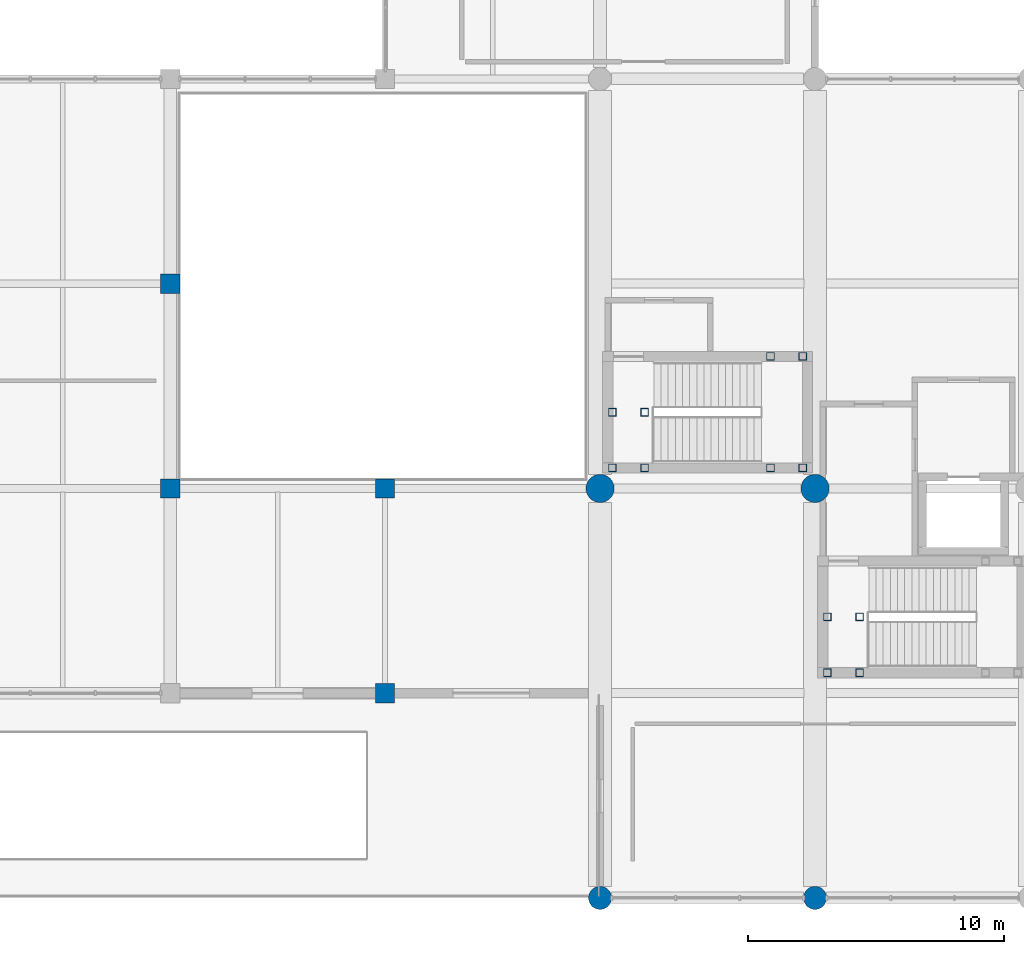
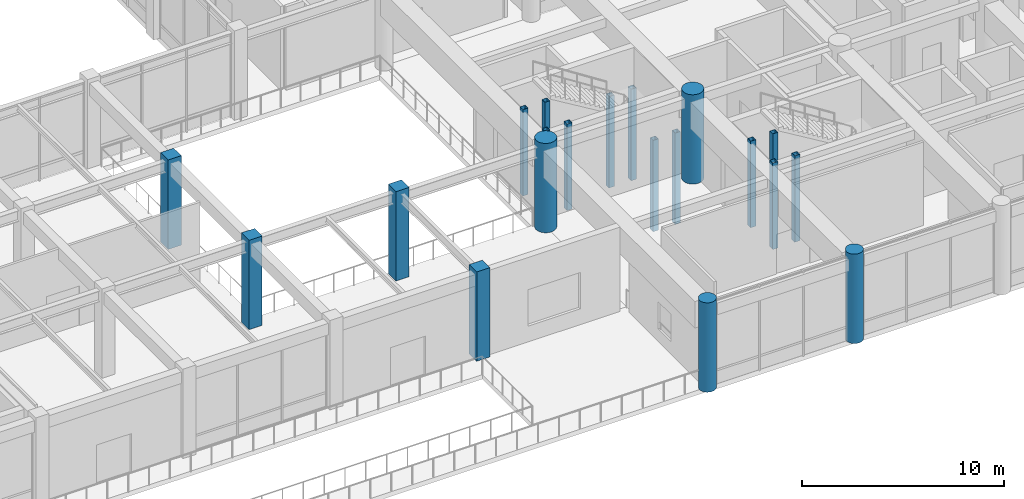
# One storey, part 6 of 79: 20 columns.
"""IFC4 building model written with IfcOpenShell, lengths in metres."""

import ifcopenshell
import ifcopenshell.guid

model = None  # the IFC model being written
_history = None  # IfcOwnerHistory: only IFC2X3 demands one
_inside = {}  # id of a spatial element -> (the spatial element, [elements in it])
_under = {}  # id of a project, library or spatial element -> (it, [spatial elements below it])
_declared = {}  # id of a project -> (the project, [libraries it declares])
_typed = {}  # id of a type object -> (the type object, [elements of that type])
_made_of = {}  # id of a material, layer set ... -> (it, [elements and type objects made of it])


def new_model(schema):
    """Start an empty IFC model of exactly this schema.

    Asked for "IFC4X3", IfcOpenShell would pick the latest addendum, in which some entities
    have other attributes; the version numbers below select the first issue.
    IFC2X3 requires an IfcOwnerHistory on every rooted entity: one is made here for all.
    """
    global model, _history
    if schema == "IFC4X3":
        model = ifcopenshell.file(schema_version=(4, 3, 0, 0))
    else:
        model = ifcopenshell.file(schema=schema)
    _inside.clear()
    _under.clear()
    _declared.clear()
    _typed.clear()
    _made_of.clear()
    _history = None
    if model.schema == "IFC2X3":
        org = make("IfcOrganization", Name="unknown")
        user = make(
            "IfcPersonAndOrganization",
            ThePerson=make("IfcPerson", FamilyName="unknown"),
            TheOrganization=org,
        )
        app = make(
            "IfcApplication",
            ApplicationDeveloper=org,
            Version="unknown",
            ApplicationFullName="unknown",
            ApplicationIdentifier="unknown",
        )
        _history = make(
            "IfcOwnerHistory",
            OwningUser=user,
            OwningApplication=app,
            ChangeAction="ADDED",
            CreationDate=0,
        )
    return model


def make(cls, **values):
    """One entity of the class cls with the attributes given. An attribute that is None is left unset."""
    return model.create_entity(
        cls, **{name: value for name, value in values.items() if value is not None}
    )


def rooted(cls, **values):
    """An entity with a GlobalId (a new one), such as an element, a storey or a relation."""
    return make(cls, GlobalId=ifcopenshell.guid.new(), OwnerHistory=_history, **values)


def si_unit(unit_type, name, prefix=None):
    """IfcSIUnit, for example si_unit("LENGTHUNIT", "METRE", prefix="MILLI")."""
    return make("IfcSIUnit", UnitType=unit_type, Prefix=prefix, Name=name)


def assignment(units):
    """IfcUnitAssignment: the units of a project."""
    return None if units is None else make("IfcUnitAssignment", Units=units)


def point(xyz):
    """IfcCartesianPoint."""
    return None if xyz is None else make("IfcCartesianPoint", Coordinates=xyz)


def direction(xyz):
    """IfcDirection."""
    return None if xyz is None else make("IfcDirection", DirectionRatios=xyz)


def frame(location, z_axis=None, x_axis=None):
    """IfcAxis2Placement3D, a coordinate frame: its origin and axes. An axis left out is left unset."""
    return make(
        "IfcAxis2Placement3D",
        Location=point(location),
        Axis=direction(z_axis),
        RefDirection=direction(x_axis),
    )


def frame_2d(location, x_axis=None):
    """IfcAxis2Placement2D, a coordinate frame in the plane: its origin and x axis."""
    return make(
        "IfcAxis2Placement2D", Location=point(location), RefDirection=direction(x_axis)
    )


def origin():
    """The frame at (0, 0, 0) with its axes left unset."""
    return frame((0.0, 0.0, 0.0))


def origin_2d():
    """The frame at (0, 0) in the plane with its x axis left unset."""
    return frame_2d((0.0, 0.0))


def place(relative_to, where):
    """IfcLocalPlacement: puts the frame where relative to a parent placement (None: the world)."""
    return make(
        "IfcLocalPlacement", PlacementRelTo=relative_to, RelativePlacement=where
    )


def context(
    kind, dimensions, precision=None, world=None, true_north=None, identifier=None
):
    """IfcGeometricRepresentationContext, for example the 3D "Model" context."""
    return make(
        "IfcGeometricRepresentationContext",
        ContextIdentifier=identifier,
        ContextType=kind,
        CoordinateSpaceDimension=dimensions,
        Precision=precision,
        WorldCoordinateSystem=world,
        TrueNorth=true_north,
    )


def subcontext(parent, identifier, kind, view, scale=None):
    """IfcGeometricRepresentationSubContext, for example "Body" below "Model"."""
    return make(
        "IfcGeometricRepresentationSubContext",
        ContextIdentifier=identifier,
        ContextType=kind,
        ParentContext=parent,
        TargetScale=scale,
        TargetView=view,
    )


def project(units=None, contexts=None):
    """IfcProject with its units and contexts."""
    return rooted(
        "IfcProject",
        Name="project",
        RepresentationContexts=contexts,
        UnitsInContext=assignment(units),
    )


def spatial(cls, under=None, at=None, **own):
    """A site, building, storey or space (cls), placed at a placement, below another one or the project."""
    s = rooted(cls, ObjectPlacement=at, **own)
    if under is not None:
        _under.setdefault(under.id(), (under, []))[1].append(s)
    return s


def profile(cls, at=None, kind="AREA", **sizes):
    """A parametric profile (cls). Its sizes go by their IFC names, for example OverallWidth=200.0."""
    return make(cls, ProfileType=kind, Position=at, **sizes)


def rectangle(**sizes):
    """IfcRectangleProfileDef."""
    return profile("IfcRectangleProfileDef", **sizes)


def hollow_rectangle(**sizes):
    """IfcRectangleHollowProfileDef."""
    return profile("IfcRectangleHollowProfileDef", **sizes)


def circle(**sizes):
    """IfcCircleProfileDef."""
    return profile("IfcCircleProfileDef", **sizes)


def extrude(swept, where, along, depth):
    """IfcExtrudedAreaSolid: the profile swept, set in the frame where, extruded along a direction by depth."""
    return make(
        "IfcExtrudedAreaSolid",
        SweptArea=swept,
        Position=where,
        ExtrudedDirection=direction(along),
        Depth=depth,
    )


def shape(context_of_items, identifier, shape_type, items):
    """IfcShapeRepresentation: the items that make up one representation, for example the "Body"."""
    return make(
        "IfcShapeRepresentation",
        ContextOfItems=context_of_items,
        RepresentationIdentifier=identifier,
        RepresentationType=shape_type,
        Items=items,
    )


def material(Name=None, Category=None):
    """IfcMaterial."""
    return make("IfcMaterial", Name=Name, Category=Category)


def material_profile(
    of_material, cross_section, Name=None, Category=None, Priority=None
):
    """IfcMaterialProfile: a cross section and its material."""
    return make(
        "IfcMaterialProfile",
        Name=Name,
        Material=of_material,
        Profile=cross_section,
        Priority=Priority,
        Category=Category,
    )


def profile_set(profiles, Name=None, composite=None):
    """IfcMaterialProfileSet."""
    return make(
        "IfcMaterialProfileSet",
        Name=Name,
        MaterialProfiles=profiles,
        CompositeProfile=composite,
    )


def made_of(thing, what):
    """Note that an element or type object is made of a material, layer set ...; save() writes the relation."""
    if what is not None:
        _made_of.setdefault(what.id(), (what, []))[1].append(thing)
    return thing


def type_object(cls, material=None, **own):
    """A type object (cls), such as IfcWallType, which elements share."""
    return made_of(rooted(cls, **own), material)


def element(
    cls,
    number,
    at=None,
    inside=None,
    cuts=None,
    type_object=None,
    material=None,
    context=None,
    identifier="Body",
    shape_type=None,
    held_by="IfcProductDefinitionShape",
    body=None,
    shapes=None,
    **own,
):
    """One element of the class cls, such as IfcWall. Its Tag is "e" and its number.

    at: its placement. inside: the storey or other place that contains it. cuts: it is an
    opening in that element (IfcRelVoidsElement). A single representation is given by context,
    identifier, shape_type and body (its items); several are given by shapes. held_by: the class
    of the entity that holds the representations. save() writes the other relations.
    """
    e = rooted(cls, Tag="e%d" % number, ObjectPlacement=at, **own)
    if body is not None:
        shapes = [shape(context, identifier, shape_type, body)]
    if shapes is not None:
        e.Representation = make(held_by, Representations=shapes)
    if inside is not None:
        _inside.setdefault(inside.id(), (inside, []))[1].append(e)
    if cuts is not None:
        rooted(
            "IfcRelVoidsElement", RelatingBuildingElement=cuts, RelatedOpeningElement=e
        )
    if type_object is not None:
        _typed.setdefault(type_object.id(), (type_object, []))[1].append(e)
    return made_of(e, material)


def aggregate(whole, parts):
    """IfcRelAggregates: a whole, such as a stair, and the parts it consists of."""
    return rooted("IfcRelAggregates", RelatingObject=whole, RelatedObjects=parts)


def save(model, path):
    """Write the relations noted so far, then the file.

    IfcRelAggregates (storeys below a building ...), IfcRelContainedInSpatialStructure (elements
    in a storey), IfcRelDefinesByType, IfcRelAssociatesMaterial and IfcRelDeclares: one each for
    every whole, place, type object, material and project.
    """
    for whole, parts in _under.values():
        aggregate(whole, parts)
    for where, things in _inside.values():
        rooted(
            "IfcRelContainedInSpatialStructure",
            RelatedElements=things,
            RelatingStructure=where,
        )
    for kind, things in _typed.values():
        rooted("IfcRelDefinesByType", RelatedObjects=things, RelatingType=kind)
    for what, things in _made_of.values():
        rooted("IfcRelAssociatesMaterial", RelatedObjects=things, RelatingMaterial=what)
    for by, libraries in _declared.values():
        rooted("IfcRelDeclares", RelatingContext=by, RelatedDefinitions=libraries)
    model.write(path)


model = new_model("IFC4")

# Units and contexts
model_context = context("Model", 3, precision=1e-05, world=origin(), true_north=direction((0.0, 1.0)))
body_context = subcontext(model_context, "Body", "Model", "MODEL_VIEW")
ifc_project = project(units=[si_unit("LENGTHUNIT", "METRE"), si_unit("AREAUNIT", "SQUARE_METRE"), si_unit("VOLUMEUNIT", "CUBIC_METRE"), si_unit("PLANEANGLEUNIT", "RADIAN"), si_unit("MASSUNIT", "GRAM", prefix="KILO")], contexts=[model_context])

# Site, building, storey
site_placement = place(None, origin())
site = spatial("IfcSite", under=ifc_project, at=site_placement, CompositionType="ELEMENT")
building_placement = place(site_placement, origin())
building = spatial("IfcBuilding", under=site, at=building_placement, Name="Naruveol Harbour Congress Hotel", CompositionType="ELEMENT")
storey_placement = place(building_placement, frame((0.0, 0.0, 6.0)))
storey = spatial("IfcBuildingStorey", under=building, at=storey_placement, Name="L01", CompositionType="ELEMENT", Elevation=6.0)

# Columns
ifc_material_1 = material(Name="Concrete C50/60", Category="concrete")
ifc_material_profile_1 = material_profile(ifc_material_1, circle(Radius=0.449951171875, at=origin_2d()), Name="RC-D900")
ifc_profile_set_1 = profile_set([ifc_material_profile_1], Name="Concrete C50/60")
column_type_1 = type_object("IfcColumnType", Name="RC HARBOUR PILOTIS D900", PredefinedType="COLUMN", material=ifc_profile_set_1)
for number, where, z_axis, x_axis, name in (
    (1, (117.60009765625, 0.0, 0.0), (0.0, 0.0, 1.0), (1.0, 0.0, 0.0), "Column C-PD900 L01 (117.6,0.0)"),
    (2, (126.0, 0.0, 0.0), (0.0, 0.0, 1.0), (1.0, 0.0, 0.0), "Column C-PD900 L01 (126.0,0.0)"),
):
    element("IfcColumn", number, at=place(storey_placement, frame(where, z_axis=z_axis, x_axis=x_axis)), inside=storey, type_object=column_type_1, Name=name, PredefinedType="COLUMN", context=body_context, shape_type="SweptSolid", body=[
        extrude(circle(Radius=0.449951171875, at=origin_2d()), origin(), (0.0, 0.0, 1.0), 5.39990234375),
    ])
ifc_material_2 = material(Name="Concrete C50/60", Category="concrete")
ifc_material_profile_2 = material_profile(ifc_material_2, circle(Radius=0.550048828125, at=origin_2d()), Name="RC-D1100")
ifc_profile_set_2 = profile_set([ifc_material_profile_2], Name="Concrete C50/60")
column_type_2 = type_object("IfcColumnType", Name="RC TRANSFER PILOTIS D1100", PredefinedType="COLUMN", material=ifc_profile_set_2)
for number, where, z_axis, x_axis, name in (
    (3, (117.60009765625, 16.0, 0.0), (0.0, 0.0, 1.0), (1.0, 0.0, 0.0), "Column C-PD1100 L01 (117.6,16.0)"),
    (4, (126.0, 16.0, 0.0), (0.0, 0.0, 1.0), (1.0, 0.0, 0.0), "Column C-PD1100 L01 (126.0,16.0)"),
):
    element("IfcColumn", number, at=place(storey_placement, frame(where, z_axis=z_axis, x_axis=x_axis)), inside=storey, type_object=column_type_2, Name=name, PredefinedType="COLUMN", context=body_context, shape_type="SweptSolid", body=[
        extrude(circle(Radius=0.550048828125, at=origin_2d()), origin(), (0.0, 0.0, 1.0), 5.39990234375),
    ])
ifc_material_3 = material(Name="Concrete C50/60", Category="concrete")
ifc_material_profile_3 = material_profile(ifc_material_3, rectangle(XDim=0.75, YDim=0.75, at=origin_2d()), Name="RC-750x750")
ifc_profile_set_3 = profile_set([ifc_material_profile_3], Name="Concrete C50/60")
column_type_3 = type_object("IfcColumnType", Name="RC WING COLUMN 750X750", PredefinedType="COLUMN", material=ifc_profile_set_3)
for number, where, z_axis, x_axis, name in (
    (5, (100.800048828125, 16.0, 0.0), (0.0, 0.0, 1.0), (1.0, 0.0, 0.0), "Column C-750 L01 (100.8,16.0)"),
    (6, (100.800048828125, 24.0, 0.0), (0.0, 0.0, 1.0), (1.0, 0.0, 0.0), "Column C-750 L01 (100.8,24.0)"),
    (7, (109.199951171875, 8.0, 0.0), (0.0, 0.0, 1.0), (1.0, 0.0, 0.0), "Column C-750 L01 (109.2,8.0)"),
    (8, (109.199951171875, 16.0, 0.0), (0.0, 0.0, 1.0), (1.0, 0.0, 0.0), "Column C-750 L01 (109.2,16.0)"),
):
    element("IfcColumn", number, at=place(storey_placement, frame(where, z_axis=z_axis, x_axis=x_axis)), inside=storey, type_object=column_type_3, Name=name, PredefinedType="COLUMN", context=body_context, shape_type="SweptSolid", body=[
        extrude(rectangle(XDim=0.75, YDim=0.75, at=origin_2d()), origin(), (0.0, 0.0, 1.0), 5.39990234375),
    ])
ifc_material_4 = material(Name="Steel SN490", Category="steel")
ifc_material_profile_4 = material_profile(ifc_material_4, hollow_rectangle(XDim=0.300048828125, YDim=0.300048828125, WallThickness=0.011962890625, at=origin_2d()), Name="SHS-300x300x12")
ifc_profile_set_4 = profile_set([ifc_material_profile_4], Name="Steel SN490")
column_type_4 = type_object("IfcColumnType", Name="STEEL COLONNADE POST SHS300", PredefinedType="COLUMN", material=ifc_profile_set_4)
for number, where, z_axis, x_axis, name in (
    (9, (126.47998046875, 8.800048828125, 0.0), (0.0, 0.0, 1.0), (1.0, 0.0, 0.0), "Stair landing support post ST1W #3"),
    (10, (126.47998046875, 10.97998046875, 0.0), (0.0, 0.0, 1.0), (1.0, 0.0, 0.0), "Stair landing support post ST1W #15"),
    (11, (127.739990234375, 8.800048828125, 0.0), (0.0, 0.0, 1.0), (1.0, 0.0, 0.0), "Stair landing support post ST1W #27"),
    (12, (127.739990234375, 10.97998046875, 0.0), (0.0, 0.0, 1.0), (1.0, 0.0, 0.0), "Stair landing support post ST1W #39"),
    (13, (118.080078125, 16.800048828125, 0.0), (0.0, 0.0, 1.0), (1.0, 0.0, 0.0), "Stair landing support post ST3W #195"),
    (14, (118.080078125, 18.97998046875, 0.0), (0.0, 0.0, 1.0), (1.0, 0.0, 0.0), "Stair landing support post ST3W #205"),
    (15, (119.340087890625, 16.800048828125, 0.0), (0.0, 0.0, 1.0), (1.0, 0.0, 0.0), "Stair landing support post ST3W #215"),
    (16, (119.340087890625, 18.97998046875, 0.0), (0.0, 0.0, 1.0), (1.0, 0.0, 0.0), "Stair landing support post ST3W #225"),
):
    element("IfcColumn", number, at=place(storey_placement, frame(where, z_axis=z_axis, x_axis=x_axis)), inside=storey, type_object=column_type_4, Name=name, PredefinedType="COLUMN", context=body_context, shape_type="SweptSolid", body=[
        extrude(hollow_rectangle(XDim=0.300048828125, YDim=0.300048828125, WallThickness=0.011962890625, at=origin_2d()), origin(), (0.0, 0.0, 1.0), 5.219970703125),
    ])
for number, where, z_axis, x_axis, name in (
    (17, (124.260009765625, 16.800048828125, -3.0), (0.0, 0.0, 1.0), (1.0, 0.0, 0.0), "Stair landing support post ST3E #235"),
    (18, (124.260009765625, 21.159912109375, -3.0), (0.0, 0.0, 1.0), (1.0, 0.0, 0.0), "Stair landing support post ST3E #245"),
    (19, (125.52001953125, 16.800048828125, -3.0), (0.0, 0.0, 1.0), (1.0, 0.0, 0.0), "Stair landing support post ST3E #255"),
    (20, (125.52001953125, 21.159912109375, -3.0), (0.0, 0.0, 1.0), (1.0, 0.0, 0.0), "Stair landing support post ST3E #265"),
):
    element("IfcColumn", number, at=place(storey_placement, frame(where, z_axis=z_axis, x_axis=x_axis)), inside=storey, type_object=column_type_4, Name=name, PredefinedType="COLUMN", context=body_context, shape_type="SweptSolid", body=[
        extrude(hollow_rectangle(XDim=0.300048828125, YDim=0.300048828125, WallThickness=0.011962890625, at=origin_2d()), origin(), (0.0, 0.0, 1.0), 5.52001953125),
    ])

save(model, "model.ifc")
